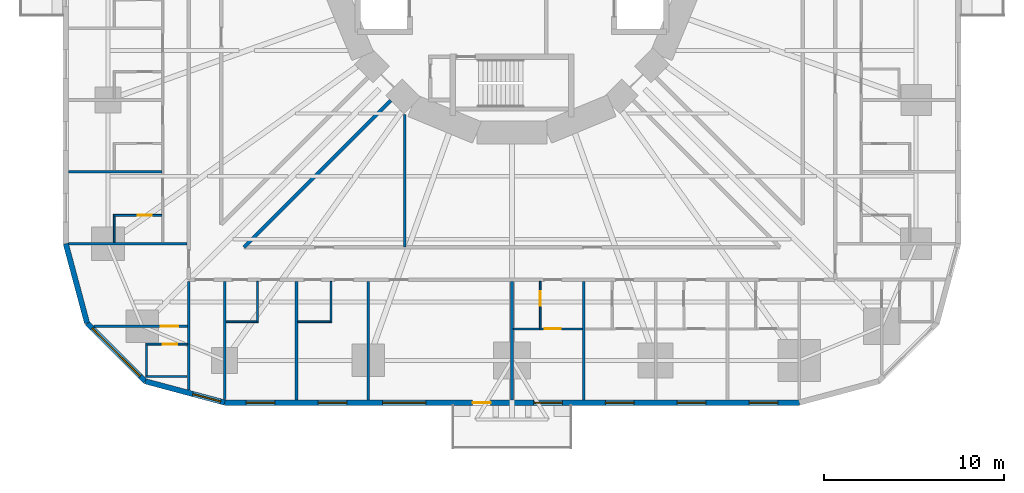
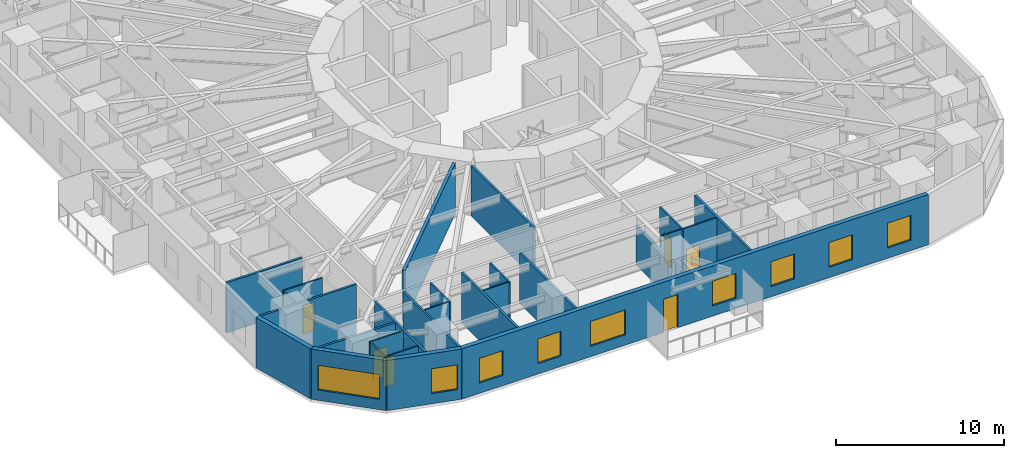
# One storey, part 4 of 14: 27 walls, 9 windows, 6 doors, 15 openings.
"""IFC4 building model written with IfcOpenShell, lengths in metres."""

from ifc_helpers import new_model, si_unit, direction, frame, frame_2d, origin, place, context, subcontext, project, spatial, rectangle, extrude, material, layer, layer_set, type_object, element, fill, save


model = new_model("IFC4")

# Units and contexts
model_context = context("Model", 3, precision=1e-05, world=origin(), true_north=direction((0.0, 1.0)))
body_context = subcontext(model_context, "Body", "Model", "MODEL_VIEW")
ifc_project = project(units=[si_unit("LENGTHUNIT", "METRE"), si_unit("AREAUNIT", "SQUARE_METRE"), si_unit("VOLUMEUNIT", "CUBIC_METRE"), si_unit("PLANEANGLEUNIT", "RADIAN"), si_unit("MASSUNIT", "GRAM", prefix="KILO")], contexts=[model_context])

# Site, building, storey
site_placement = place(None, origin())
site = spatial("IfcSite", under=ifc_project, at=site_placement, CompositionType="ELEMENT")
building_placement = place(site_placement, origin())
building = spatial("IfcBuilding", under=site, at=building_placement, Name="Nakasero Lantern House", CompositionType="ELEMENT")
storey_placement = place(building_placement, frame((0.0, 0.0, 19.85009765625)))
storey = spatial("IfcBuildingStorey", under=building, at=storey_placement, Name="L04", CompositionType="ELEMENT", Elevation=19.85009765625)

# Wall
ifc_material_1 = material(Name="Blockwork", Category="masonry")
ifc_layer_1 = layer(ifc_material_1, 0.199951171875)
ifc_layer_set_1 = layer_set([ifc_layer_1], Name="Corridor wall 200")
wall_type_1 = type_object("IfcWallType", Name="Corridor wall 200", PredefinedType="PARTITIONING", material=ifc_layer_set_1)
wall_1_placement = place(storey_placement, frame((-6.758544921875, -8.03125, 0.0), z_axis=(0.0, 0.0, 1.0), x_axis=(-0.707106781187, -0.707106781187, 0.0)))
element("IfcWall", 1, at=wall_1_placement, inside=storey, type_object=wall_type_1, Name="Corridor wall L04 PS10a", PredefinedType="PARTITIONING", context=body_context, shape_type="SweptSolid", body=[
    extrude(rectangle(XDim=11.55224609375, YDim=0.199951171875, at=frame_2d((5.776123046875, 0.0))), origin(), (0.0, 0.0, 1.0), 3.64990234375),
])

# Wall, opening, door
ifc_material_2 = material(Name="Blockwork", Category="masonry")
ifc_layer_2 = layer(ifc_material_2, 0.10009765625)
ifc_layer_set_2 = layer_set([ifc_layer_2], Name="En-suite wall 100")
wall_type_2 = type_object("IfcWallType", Name="En-suite wall 100", PredefinedType="PARTITIONING", material=ifc_layer_set_2)
wall_2_placement = place(storey_placement, frame((-19.5, -14.425048828125, 0.0), z_axis=(0.0, 0.0, 1.0), x_axis=(-1.0, 0.0, 0.0)))
wall_2 = element("IfcWall", 2, at=wall_2_placement, inside=storey, type_object=wall_type_2, Name="En-suite wall L04 ES2-08", PredefinedType="PARTITIONING", context=body_context, shape_type="SweptSolid", body=[
    extrude(rectangle(XDim=2.699951171875, YDim=0.10009765625, at=frame_2d((1.35009765625, 0.0))), origin(), (0.0, 0.0, 1.0), 3.64990234375),
])
opening_1_placement = place(wall_2_placement, frame((0.550048828125, 0.0, 0.0)))
opening_1 = element("IfcOpeningElement", 3, at=opening_1_placement, cuts=wall_2, Name="Opening D02", PredefinedType="OPENING", context=body_context, shape_type="SweptSolid", body=[
    extrude(rectangle(XDim=0.800048828125, YDim=2.10009765625, at=frame_2d((0.39990234375, 1.050048828125))), frame((0.0, 0.070068359375, 0.0), z_axis=(0.0, -1.0, 0.0), x_axis=(1.0, 0.0, 0.0)), (0.0, 0.0, 1.0), 0.14013671875),
])
ifc_material_3 = material(Name="Timber C24", Category="wood")
door_type_1 = type_object("IfcDoorType", Name="En-suite door 800", OperationType="SINGLE_SWING_RIGHT", PredefinedType="DOOR", material=ifc_material_3)
door_1_placement = place(opening_1_placement, origin())
door_1 = element("IfcDoor", 4, at=door_1_placement, inside=storey, type_object=door_type_1, Name="Door L04 DE2-08", OperationType="SINGLE_SWING_LEFT", OverallHeight=2.10009765625, OverallWidth=0.800048828125, PredefinedType="DOOR", context=body_context, shape_type="SweptSolid", body=[
    extrude(rectangle(XDim=0.800048828125, YDim=2.10009765625, at=frame_2d((0.39990234375, 1.050048828125))), frame((0.0, 0.02490234375, 0.0), z_axis=(0.0, -1.0, 0.0), x_axis=(1.0, 0.0, 0.0)), (0.0, 0.0, 1.0), 0.050048828125),
])
fill(opening_1, door_1)

# Wall
wall_3_placement = place(storey_placement, frame((-22.14990234375, -14.47509765625, 0.0), z_axis=(0.0, 0.0, 1.0), x_axis=(0.0, -1.0, 0.0)))
element("IfcWall", 5, at=wall_3_placement, inside=storey, type_object=wall_type_2, Name="En-suite wall L04 EE2-08", PredefinedType="PARTITIONING", context=body_context, shape_type="SweptSolid", body=[
    extrude(rectangle(XDim=1.449951171875, YDim=0.10009765625, at=frame_2d((0.72509765625, 0.0))), origin(), (0.0, 0.0, 1.0), 3.64990234375),
])

# Wall, opening, door
wall_4_placement = place(storey_placement, frame((-18.06494140625, -21.59619140625, 0.0), z_axis=(0.0, 0.0, 1.0), x_axis=(-1.0, 0.0, 0.0)))
wall_4 = element("IfcWall", 6, at=wall_4_placement, inside=storey, type_object=wall_type_2, Name="En-suite wall L04 ES2-09", PredefinedType="PARTITIONING", context=body_context, shape_type="SweptSolid", body=[
    extrude(rectangle(XDim=2.3349609375, YDim=0.10009765625, at=frame_2d((1.16748046875, 0.0))), origin(), (0.0, 0.0, 1.0), 3.64990234375),
])
opening_2_placement = place(wall_4_placement, frame((0.5849609375, 0.0, 0.0)))
opening_2 = element("IfcOpeningElement", 7, at=opening_2_placement, cuts=wall_4, Name="Opening D02", PredefinedType="OPENING", context=body_context, shape_type="SweptSolid", body=[
    extrude(rectangle(XDim=0.800048828125, YDim=2.10009765625, at=frame_2d((0.39990234375, 1.050048828125))), frame((0.0, 0.070068359375, 0.0), z_axis=(0.0, -1.0, 0.0), x_axis=(1.0, 0.0, 0.0)), (0.0, 0.0, 1.0), 0.14013671875),
])
door_2_placement = place(opening_2_placement, origin())
door_2 = element("IfcDoor", 8, at=door_2_placement, inside=storey, type_object=door_type_1, Name="Door L04 DE2-09", OperationType="SINGLE_SWING_LEFT", OverallHeight=2.10009765625, OverallWidth=0.800048828125, PredefinedType="DOOR", context=body_context, shape_type="SweptSolid", body=[
    extrude(rectangle(XDim=0.800048828125, YDim=2.10009765625, at=frame_2d((0.39990234375, 1.050048828125))), frame((0.0, 0.02490234375, 0.0), z_axis=(0.0, -1.0, 0.0), x_axis=(1.0, 0.0, 0.0)), (0.0, 0.0, 1.0), 0.050048828125),
])
fill(opening_2, door_2)

# Walls
wall_5_placement = place(storey_placement, frame((-20.35009765625, -21.646240234375, 0.0), z_axis=(0.0, 0.0, 1.0), x_axis=(0.0, -1.0, 0.0)))
element("IfcWall", 9, at=wall_5_placement, inside=storey, type_object=wall_type_2, Name="En-suite wall L04 EE2-09", PredefinedType="PARTITIONING", context=body_context, shape_type="SweptSolid", body=[
    extrude(rectangle(XDim=1.699951171875, YDim=0.10009765625, at=frame_2d((0.85009765625, 0.0))), origin(), (0.0, 0.0, 1.0), 3.64990234375),
])
for number, where, z_axis, x_axis, name in (
    (10, (-18.10009765625, -23.396240234375, 0.0), (0.0, 0.0, 1.0), (-1.0, 0.0, 0.0), "En-suite wall L04 EV2-09"),
    (11, (-14.175048828125, -18.10009765625, 0.0), (0.0, 0.0, 1.0), (0.0, -1.0, 0.0), "En-suite wall L04 ES3-01"),
):
    element("IfcWall", number, at=place(storey_placement, frame(where, z_axis=z_axis, x_axis=x_axis)), inside=storey, type_object=wall_type_2, Name=name, PredefinedType="PARTITIONING", context=body_context, shape_type="SweptSolid", body=[
        extrude(rectangle(XDim=2.2998046875, YDim=0.10009765625, at=frame_2d((1.14990234375, 0.0))), origin(), (0.0, 0.0, 1.0), 3.64990234375),
    ])
wall_6_placement = place(storey_placement, frame((-15.925048828125, -20.35009765625, 0.0), z_axis=(0.0, 0.0, 1.0), x_axis=(1.0, 0.0, 0.0)))
element("IfcWall", 12, at=wall_6_placement, inside=storey, type_object=wall_type_2, Name="En-suite wall L04 EE3-01", PredefinedType="PARTITIONING", context=body_context, shape_type="SweptSolid", body=[
    extrude(rectangle(XDim=1.699951171875, YDim=0.10009765625, at=frame_2d((0.85009765625, 0.0))), origin(), (0.0, 0.0, 1.0), 3.64990234375),
])
wall_7_placement = place(storey_placement, frame((-10.074951171875, -18.10009765625, 0.0), z_axis=(0.0, 0.0, 1.0), x_axis=(0.0, -1.0, 0.0)))
element("IfcWall", 13, at=wall_7_placement, inside=storey, type_object=wall_type_2, Name="En-suite wall L04 ES3-02", PredefinedType="PARTITIONING", context=body_context, shape_type="SweptSolid", body=[
    extrude(rectangle(XDim=2.2998046875, YDim=0.10009765625, at=frame_2d((1.14990234375, 0.0))), origin(), (0.0, 0.0, 1.0), 3.64990234375),
])
wall_8_placement = place(storey_placement, frame((-11.925048828125, -20.35009765625, 0.0), z_axis=(0.0, 0.0, 1.0), x_axis=(1.0, 0.0, 0.0)))
element("IfcWall", 14, at=wall_8_placement, inside=storey, type_object=wall_type_2, Name="En-suite wall L04 EE3-02", PredefinedType="PARTITIONING", context=body_context, shape_type="SweptSolid", body=[
    extrude(rectangle(XDim=1.800048828125, YDim=0.10009765625, at=frame_2d((0.89990234375, 0.0))), origin(), (0.0, 0.0, 1.0), 3.64990234375),
])

# Wall, opening, door
wall_9_placement = place(storey_placement, frame((1.574951171875, -18.10009765625, 0.0), z_axis=(0.0, 0.0, 1.0), x_axis=(0.0, -1.0, 0.0)))
wall_9 = element("IfcWall", 15, at=wall_9_placement, inside=storey, type_object=wall_type_2, Name="En-suite wall L04 ES3-05", PredefinedType="PARTITIONING", context=body_context, shape_type="SweptSolid", body=[
    extrude(rectangle(XDim=2.699951171875, YDim=0.10009765625, at=frame_2d((1.35009765625, 0.0))), origin(), (0.0, 0.0, 1.0), 3.64990234375),
])
opening_3_placement = place(wall_9_placement, frame((0.550048828125, 0.0, 0.0)))
opening_3 = element("IfcOpeningElement", 16, at=opening_3_placement, cuts=wall_9, Name="Opening D02", PredefinedType="OPENING", context=body_context, shape_type="SweptSolid", body=[
    extrude(rectangle(XDim=0.800048828125, YDim=2.10009765625, at=frame_2d((0.39990234375, 1.050048828125))), frame((0.0, 0.070068359375, 0.0), z_axis=(0.0, -1.0, 0.0), x_axis=(1.0, 0.0, 0.0)), (0.0, 0.0, 1.0), 0.14013671875),
])
door_3_placement = place(opening_3_placement, origin())
door_3 = element("IfcDoor", 17, at=door_3_placement, inside=storey, type_object=door_type_1, Name="Door L04 DE3-05", OperationType="SINGLE_SWING_LEFT", OverallHeight=2.10009765625, OverallWidth=0.800048828125, PredefinedType="DOOR", context=body_context, shape_type="SweptSolid", body=[
    extrude(rectangle(XDim=0.800048828125, YDim=2.10009765625, at=frame_2d((0.39990234375, 1.050048828125))), frame((0.0, 0.02490234375, 0.0), z_axis=(0.0, -1.0, 0.0), x_axis=(1.0, 0.0, 0.0)), (0.0, 0.0, 1.0), 0.050048828125),
])
fill(opening_3, door_3)

# Wall
wall_10_placement = place(storey_placement, frame((0.074951171875, -20.75, 0.0), z_axis=(0.0, 0.0, 1.0), x_axis=(1.0, 0.0, 0.0)))
element("IfcWall", 18, at=wall_10_placement, inside=storey, type_object=wall_type_2, Name="En-suite wall L04 EE3-05", PredefinedType="PARTITIONING", context=body_context, shape_type="SweptSolid", body=[
    extrude(rectangle(XDim=1.449951171875, YDim=0.10009765625, at=frame_2d((0.72509765625, 0.0))), origin(), (0.0, 0.0, 1.0), 3.64990234375),
])

# Wall, opening, door
wall_11_placement = place(storey_placement, frame((1.625, -20.75, 0.0), z_axis=(0.0, 0.0, 1.0), x_axis=(1.0, 0.0, 0.0)))
wall_11 = element("IfcWall", 19, at=wall_11_placement, inside=storey, type_object=wall_type_2, Name="En-suite wall L04 EL3-05", PredefinedType="PARTITIONING", context=body_context, shape_type="SweptSolid", body=[
    extrude(rectangle(XDim=2.300048828125, YDim=0.10009765625, at=frame_2d((1.14990234375, 0.0))), origin(), (0.0, 0.0, 1.0), 3.64990234375),
])
opening_4_placement = place(wall_11_placement, frame((0.199951171875, 0.0, 0.0)))
opening_4 = element("IfcOpeningElement", 20, at=opening_4_placement, cuts=wall_11, Name="Opening D17", PredefinedType="OPENING", context=body_context, shape_type="SweptSolid", body=[
    extrude(rectangle(XDim=0.89990234375, YDim=2.10009765625, at=frame_2d((0.449951171875, 1.050048828125))), frame((0.0, 0.070068359375, 0.0), z_axis=(0.0, -1.0, 0.0), x_axis=(1.0, 0.0, 0.0)), (0.0, 0.0, 1.0), 0.14013671875),
])
ifc_material_4 = material(Name="Timber C24", Category="wood")
door_type_2 = type_object("IfcDoorType", Name="Bedroom door FD30S 900", OperationType="SINGLE_SWING_LEFT", PredefinedType="DOOR", material=ifc_material_4)
door_4_placement = place(opening_4_placement, origin())
door_4 = element("IfcDoor", 21, at=door_4_placement, inside=storey, type_object=door_type_2, Name="Door L04 DL3-05", OperationType="SINGLE_SWING_LEFT", OverallHeight=2.10009765625, OverallWidth=0.89990234375, PredefinedType="DOOR", context=body_context, shape_type="SweptSolid", body=[
    extrude(rectangle(XDim=0.89990234375, YDim=2.10009765625, at=frame_2d((0.449951171875, 1.050048828125))), frame((0.0, 0.02490234375, 0.0), z_axis=(0.0, -1.0, 0.0), x_axis=(1.0, 0.0, 0.0)), (0.0, 0.0, 1.0), 0.050048828125),
])
fill(opening_4, door_4)

# Wall
ifc_material_5 = material(Name="Aluminium rainscreen on blockwork", Category="masonry")
ifc_layer_3 = layer(ifc_material_5, 0.300048828125)
ifc_layer_set_3 = layer_set([ifc_layer_3], Name="Facade wall 300")
wall_type_3 = type_object("IfcWallType", Name="Facade wall 300", PredefinedType="SOLIDWALL", material=ifc_layer_set_3)
wall_12_placement = place(storey_placement, frame((-24.85009765625, -16.0, 0.0), z_axis=(0.0, 0.0, 1.0), x_axis=(0.258839972501, -0.965920218567, 0.0)))
element("IfcWall", 22, at=wall_12_placement, inside=storey, type_object=wall_type_3, Name="Facade wall L04 FW2C1", PredefinedType="SOLIDWALL", context=body_context, shape_type="SweptSolid", body=[
    extrude(rectangle(XDim=4.5810546875, YDim=0.300048828125, at=frame_2d((2.29052734375, 0.0))), origin(), (0.0, 0.0, 1.0), 3.64990234375),
])

# Wall, opening, window
wall_13_placement = place(storey_placement, frame((-23.664306640625, -20.425048828125, 0.0), z_axis=(0.0, 0.0, 1.0), x_axis=(0.707106781187, -0.707106781187, 0.0)))
wall_13 = element("IfcWall", 23, at=wall_13_placement, inside=storey, type_object=wall_type_3, Name="Facade wall L04 FW2C2", PredefinedType="SOLIDWALL", context=body_context, shape_type="SweptSolid", body=[
    extrude(rectangle(XDim=4.5810546875, YDim=0.300048828125, at=frame_2d((2.29052734375, 0.0))), origin(), (0.0, 0.0, 1.0), 3.64990234375),
])
opening_5_placement = place(wall_13_placement, frame((0.39990234375, 0.0, 0.75)))
opening_5 = element("IfcOpeningElement", 24, at=opening_5_placement, cuts=wall_13, Name="Opening W237", PredefinedType="OPENING", context=body_context, shape_type="SweptSolid", body=[
    extrude(rectangle(XDim=3.781005859375, YDim=1.800048828125, at=frame_2d((1.890625, 0.89990234375))), frame((0.0, 0.169921875, 0.0), z_axis=(0.0, -1.0, 0.0), x_axis=(1.0, 0.0, 0.0)), (0.0, 0.0, 1.0), 0.340087890625),
])
ifc_material_6 = material(Name="Aluminium 6063-T6 and glass", Category="aluminium")
window_type_1 = type_object("IfcWindowType", Name="Corner window 3781x1800", PartitioningType="SINGLE_PANEL", PredefinedType="WINDOW", material=ifc_material_6)
window_1_placement = place(opening_5_placement, origin())
window_1 = element("IfcWindow", 25, at=window_1_placement, inside=storey, type_object=window_type_1, Name="Window L04 WC2", OverallHeight=1.800048828125, OverallWidth=3.781005859375, PartitioningType="SINGLE_PANEL", PredefinedType="WINDOW", context=body_context, shape_type="SweptSolid", body=[
    extrude(rectangle(XDim=3.781005859375, YDim=1.800048828125, at=frame_2d((1.890625, 0.89990234375))), frame((0.0, 0.030029296875, 0.0), z_axis=(0.0, -1.0, 0.0), x_axis=(1.0, 0.0, 0.0)), (0.0, 0.0, 1.0), 0.06005859375),
])
fill(opening_5, window_1)

wall_14_placement = place(storey_placement, frame((-20.425048828125, -23.664306640625, 0.0), z_axis=(0.0, 0.0, 1.0), x_axis=(0.965920218567, -0.258839972501, 0.0)))
wall_14 = element("IfcWall", 26, at=wall_14_placement, inside=storey, type_object=wall_type_3, Name="Facade wall L04 FW2C3", PredefinedType="SOLIDWALL", context=body_context, shape_type="SweptSolid", body=[
    extrude(rectangle(XDim=4.5810546875, YDim=0.300048828125, at=frame_2d((2.29052734375, 0.0))), origin(), (0.0, 0.0, 1.0), 3.64990234375),
])
opening_6_placement = place(wall_14_placement, frame((2.74609375, 0.0, 0.75)))
opening_6 = element("IfcOpeningElement", 27, at=opening_6_placement, cuts=wall_14, Name="Opening W01", PredefinedType="OPENING", context=body_context, shape_type="SweptSolid", body=[
    extrude(rectangle(XDim=1.60009765625, YDim=1.800048828125, at=frame_2d((0.800048828125, 0.89990234375))), frame((0.0, 0.169921875, 0.0), z_axis=(0.0, -1.0, 0.0), x_axis=(1.0, 0.0, 0.0)), (0.0, 0.0, 1.0), 0.340087890625),
])
ifc_material_7 = material(Name="Aluminium 6063-T6 and glass", Category="aluminium")
window_type_2 = type_object("IfcWindowType", Name="Bedroom window 1600x1800", PartitioningType="SINGLE_PANEL", PredefinedType="WINDOW", material=ifc_material_7)
window_2_placement = place(opening_6_placement, origin())
window_2 = element("IfcWindow", 28, at=window_2_placement, inside=storey, type_object=window_type_2, Name="Window L04 WN3-00", OverallHeight=1.800048828125, OverallWidth=1.60009765625, PartitioningType="SINGLE_PANEL", PredefinedType="WINDOW", context=body_context, shape_type="SweptSolid", body=[
    extrude(rectangle(XDim=1.60009765625, YDim=1.800048828125, at=frame_2d((0.800048828125, 0.89990234375))), frame((0.0, 0.030029296875, 0.0), z_axis=(0.0, -1.0, 0.0), x_axis=(1.0, 0.0, 0.0)), (0.0, 0.0, 1.0), 0.06005859375),
])
fill(opening_6, window_2)

# Wall, openings, door, windows
wall_15_placement = place(storey_placement, frame((-16.0, -24.85009765625, 0.0), z_axis=(0.0, 0.0, 1.0), x_axis=(1.0, 0.0, 0.0)))
wall_15 = element("IfcWall", 29, at=wall_15_placement, inside=storey, type_object=wall_type_3, Name="Facade wall L04 FW3S", PredefinedType="SOLIDWALL", context=body_context, shape_type="SweptSolid", body=[
    extrude(rectangle(XDim=32.0, YDim=0.300048828125, at=frame_2d((16.0, 0.0))), origin(), (0.0, 0.0, 1.0), 3.64990234375),
])
opening_7_placement = place(wall_15_placement, frame((1.199951171875, 0.0, 0.75)))
opening_7 = element("IfcOpeningElement", 30, at=opening_7_placement, cuts=wall_15, Name="Opening W01", PredefinedType="OPENING", context=body_context, shape_type="SweptSolid", body=[
    extrude(rectangle(XDim=1.60009765625, YDim=1.800048828125, at=frame_2d((0.800048828125, 0.89990234375))), frame((0.0, 0.169921875, 0.0), z_axis=(0.0, -1.0, 0.0), x_axis=(1.0, 0.0, 0.0)), (0.0, 0.0, 1.0), 0.340087890625),
])
opening_8_placement = place(wall_15_placement, frame((5.199951171875, 0.0, 0.75)))
opening_8 = element("IfcOpeningElement", 31, at=opening_8_placement, cuts=wall_15, Name="Opening W01", PredefinedType="OPENING", context=body_context, shape_type="SweptSolid", body=[
    extrude(rectangle(XDim=1.60009765625, YDim=1.800048828125, at=frame_2d((0.800048828125, 0.89990234375))), frame((0.0, 0.169921875, 0.0), z_axis=(0.0, -1.0, 0.0), x_axis=(1.0, 0.0, 0.0)), (0.0, 0.0, 1.0), 0.340087890625),
])
opening_9_placement = place(wall_15_placement, frame((17.199951171875, 0.0, 0.75)))
opening_9 = element("IfcOpeningElement", 32, at=opening_9_placement, cuts=wall_15, Name="Opening W01", PredefinedType="OPENING", context=body_context, shape_type="SweptSolid", body=[
    extrude(rectangle(XDim=1.60009765625, YDim=1.800048828125, at=frame_2d((0.800048828125, 0.89990234375))), frame((0.0, 0.169921875, 0.0), z_axis=(0.0, -1.0, 0.0), x_axis=(1.0, 0.0, 0.0)), (0.0, 0.0, 1.0), 0.340087890625),
])
opening_10_placement = place(wall_15_placement, frame((21.199951171875, 0.0, 0.75)))
opening_10 = element("IfcOpeningElement", 33, at=opening_10_placement, cuts=wall_15, Name="Opening W01", PredefinedType="OPENING", context=body_context, shape_type="SweptSolid", body=[
    extrude(rectangle(XDim=1.60009765625, YDim=1.800048828125, at=frame_2d((0.800048828125, 0.89990234375))), frame((0.0, 0.169921875, 0.0), z_axis=(0.0, -1.0, 0.0), x_axis=(1.0, 0.0, 0.0)), (0.0, 0.0, 1.0), 0.340087890625),
])
opening_11_placement = place(wall_15_placement, frame((25.199951171875, 0.0, 0.75)))
opening_11 = element("IfcOpeningElement", 34, at=opening_11_placement, cuts=wall_15, Name="Opening W01", PredefinedType="OPENING", context=body_context, shape_type="SweptSolid", body=[
    extrude(rectangle(XDim=1.60009765625, YDim=1.800048828125, at=frame_2d((0.800048828125, 0.89990234375))), frame((0.0, 0.169921875, 0.0), z_axis=(0.0, -1.0, 0.0), x_axis=(1.0, 0.0, 0.0)), (0.0, 0.0, 1.0), 0.340087890625),
])
opening_12_placement = place(wall_15_placement, frame((29.199951171875, 0.0, 0.75)))
opening_12 = element("IfcOpeningElement", 35, at=opening_12_placement, cuts=wall_15, Name="Opening W01", PredefinedType="OPENING", context=body_context, shape_type="SweptSolid", body=[
    extrude(rectangle(XDim=1.60009765625, YDim=1.800048828125, at=frame_2d((0.800048828125, 0.89990234375))), frame((0.0, 0.169921875, 0.0), z_axis=(0.0, -1.0, 0.0), x_axis=(1.0, 0.0, 0.0)), (0.0, 0.0, 1.0), 0.340087890625),
])
opening_13_placement = place(wall_15_placement, frame((8.800048828125, 0.0, 0.75)))
opening_13 = element("IfcOpeningElement", 36, at=opening_13_placement, cuts=wall_15, Name="Opening W03", PredefinedType="OPENING", context=body_context, shape_type="SweptSolid", body=[
    extrude(rectangle(XDim=2.39990234375, YDim=1.800048828125, at=frame_2d((1.199951171875, 0.89990234375))), frame((0.0, 0.169921875, 0.0), z_axis=(0.0, -1.0, 0.0), x_axis=(1.0, 0.0, 0.0)), (0.0, 0.0, 1.0), 0.340087890625),
])
opening_14_placement = place(wall_15_placement, frame((13.8125, 0.0, 0.0)))
opening_14 = element("IfcOpeningElement", 37, at=opening_14_placement, cuts=wall_15, Name="Opening D04", PredefinedType="OPENING", context=body_context, shape_type="SweptSolid", body=[
    extrude(rectangle(XDim=1.0, YDim=2.39990234375, at=frame_2d((0.5, 1.199951171875))), frame((0.0, 0.169921875, 0.0), z_axis=(0.0, -1.0, 0.0), x_axis=(1.0, 0.0, 0.0)), (0.0, 0.0, 1.0), 0.340087890625),
])
ifc_material_8 = material(Name="Aluminium 6063-T6 and glass", Category="aluminium")
door_type_3 = type_object("IfcDoorType", Name="Balcony door 1000x2400", OperationType="SINGLE_SWING_RIGHT", PredefinedType="DOOR", material=ifc_material_8)
door_5_placement = place(opening_14_placement, origin())
door_5 = element("IfcDoor", 38, at=door_5_placement, inside=storey, type_object=door_type_3, Name="Balcony door L04 DB3", OperationType="SINGLE_SWING_RIGHT", OverallHeight=2.39990234375, OverallWidth=1.0, PredefinedType="DOOR", context=body_context, shape_type="SweptSolid", body=[
    extrude(rectangle(XDim=1.0, YDim=2.39990234375, at=frame_2d((0.5, 1.199951171875))), frame((0.0, 0.02490234375, 0.0), z_axis=(0.0, -1.0, 0.0), x_axis=(1.0, 0.0, 0.0)), (0.0, 0.0, 1.0), 0.050048828125),
])
fill(opening_14, door_5)
window_3_placement = place(opening_7_placement, origin())
window_3 = element("IfcWindow", 39, at=window_3_placement, inside=storey, type_object=window_type_2, Name="Window L04 WN3-01", OverallHeight=1.800048828125, OverallWidth=1.60009765625, PartitioningType="SINGLE_PANEL", PredefinedType="WINDOW", context=body_context, shape_type="SweptSolid", body=[
    extrude(rectangle(XDim=1.60009765625, YDim=1.800048828125, at=frame_2d((0.800048828125, 0.89990234375))), frame((0.0, 0.030029296875, 0.0), z_axis=(0.0, -1.0, 0.0), x_axis=(1.0, 0.0, 0.0)), (0.0, 0.0, 1.0), 0.06005859375),
])
fill(opening_7, window_3)
window_4_placement = place(opening_8_placement, origin())
window_4 = element("IfcWindow", 40, at=window_4_placement, inside=storey, type_object=window_type_2, Name="Window L04 WN3-02", OverallHeight=1.800048828125, OverallWidth=1.60009765625, PartitioningType="SINGLE_PANEL", PredefinedType="WINDOW", context=body_context, shape_type="SweptSolid", body=[
    extrude(rectangle(XDim=1.60009765625, YDim=1.800048828125, at=frame_2d((0.800048828125, 0.89990234375))), frame((0.0, 0.030029296875, 0.0), z_axis=(0.0, -1.0, 0.0), x_axis=(1.0, 0.0, 0.0)), (0.0, 0.0, 1.0), 0.06005859375),
])
fill(opening_8, window_4)
window_5_placement = place(opening_9_placement, origin())
window_5 = element("IfcWindow", 41, at=window_5_placement, inside=storey, type_object=window_type_2, Name="Window L04 WN3-05", OverallHeight=1.800048828125, OverallWidth=1.60009765625, PartitioningType="SINGLE_PANEL", PredefinedType="WINDOW", context=body_context, shape_type="SweptSolid", body=[
    extrude(rectangle(XDim=1.60009765625, YDim=1.800048828125, at=frame_2d((0.800048828125, 0.89990234375))), frame((0.0, 0.030029296875, 0.0), z_axis=(0.0, -1.0, 0.0), x_axis=(1.0, 0.0, 0.0)), (0.0, 0.0, 1.0), 0.06005859375),
])
fill(opening_9, window_5)
window_6_placement = place(opening_10_placement, origin())
window_6 = element("IfcWindow", 42, at=window_6_placement, inside=storey, type_object=window_type_2, Name="Window L04 WN3-06", OverallHeight=1.800048828125, OverallWidth=1.60009765625, PartitioningType="SINGLE_PANEL", PredefinedType="WINDOW", context=body_context, shape_type="SweptSolid", body=[
    extrude(rectangle(XDim=1.60009765625, YDim=1.800048828125, at=frame_2d((0.800048828125, 0.89990234375))), frame((0.0, 0.030029296875, 0.0), z_axis=(0.0, -1.0, 0.0), x_axis=(1.0, 0.0, 0.0)), (0.0, 0.0, 1.0), 0.06005859375),
])
fill(opening_10, window_6)
window_7_placement = place(opening_11_placement, origin())
window_7 = element("IfcWindow", 43, at=window_7_placement, inside=storey, type_object=window_type_2, Name="Window L04 WN3-07", OverallHeight=1.800048828125, OverallWidth=1.60009765625, PartitioningType="SINGLE_PANEL", PredefinedType="WINDOW", context=body_context, shape_type="SweptSolid", body=[
    extrude(rectangle(XDim=1.60009765625, YDim=1.800048828125, at=frame_2d((0.800048828125, 0.89990234375))), frame((0.0, 0.030029296875, 0.0), z_axis=(0.0, -1.0, 0.0), x_axis=(1.0, 0.0, 0.0)), (0.0, 0.0, 1.0), 0.06005859375),
])
fill(opening_11, window_7)
window_8_placement = place(opening_12_placement, origin())
window_8 = element("IfcWindow", 44, at=window_8_placement, inside=storey, type_object=window_type_2, Name="Window L04 WN3-08", OverallHeight=1.800048828125, OverallWidth=1.60009765625, PartitioningType="SINGLE_PANEL", PredefinedType="WINDOW", context=body_context, shape_type="SweptSolid", body=[
    extrude(rectangle(XDim=1.60009765625, YDim=1.800048828125, at=frame_2d((0.800048828125, 0.89990234375))), frame((0.0, 0.030029296875, 0.0), z_axis=(0.0, -1.0, 0.0), x_axis=(1.0, 0.0, 0.0)), (0.0, 0.0, 1.0), 0.06005859375),
])
fill(opening_12, window_8)
ifc_material_9 = material(Name="Aluminium 6063-T6 and glass", Category="aluminium")
window_type_3 = type_object("IfcWindowType", Name="Lounge window 2400x1800", PartitioningType="SINGLE_PANEL", PredefinedType="WINDOW", material=ifc_material_9)
window_9_placement = place(opening_13_placement, origin())
window_9 = element("IfcWindow", 45, at=window_9_placement, inside=storey, type_object=window_type_3, Name="Window L04 WK3", OverallHeight=1.800048828125, OverallWidth=2.39990234375, PartitioningType="SINGLE_PANEL", PredefinedType="WINDOW", context=body_context, shape_type="SweptSolid", body=[
    extrude(rectangle(XDim=2.39990234375, YDim=1.800048828125, at=frame_2d((1.199951171875, 0.89990234375))), frame((0.0, 0.030029296875, 0.0), z_axis=(0.0, -1.0, 0.0), x_axis=(1.0, 0.0, 0.0)), (0.0, 0.0, 1.0), 0.06005859375),
])
fill(opening_13, window_9)

# Walls
ifc_material_10 = material(Name="Blockwork", Category="masonry")
ifc_layer_4 = layer(ifc_material_10, 0.14990234375)
ifc_layer_set_4 = layer_set([ifc_layer_4], Name="Party wall 150")
wall_type_4 = type_object("IfcWallType", Name="Party wall 150", PredefinedType="PARTITIONING", material=ifc_layer_set_4)
wall_16_placement = place(storey_placement, frame((-19.5, -12.0, 0.0), z_axis=(0.0, 0.0, 1.0), x_axis=(-1.0, 0.0, 0.0)))
element("IfcWall", 46, at=wall_16_placement, inside=storey, type_object=wall_type_4, Name="Party wall L04 PW2-08", PredefinedType="PARTITIONING", context=body_context, shape_type="SweptSolid", body=[
    extrude(rectangle(XDim=5.199951171875, YDim=0.14990234375, at=frame_2d((2.60009765625, 0.0))), origin(), (0.0, 0.0, 1.0), 3.64990234375),
])
wall_17_placement = place(storey_placement, frame((-18.10009765625, -16.0, 0.0), z_axis=(0.0, 0.0, 1.0), x_axis=(-1.0, 0.0, 0.0)))
element("IfcWall", 47, at=wall_17_placement, inside=storey, type_object=wall_type_4, Name="Party wall L04 PW2-09", PredefinedType="PARTITIONING", context=body_context, shape_type="SweptSolid", body=[
    extrude(rectangle(XDim=6.58935546875, YDim=0.14990234375, at=frame_2d((3.294677734375, 0.0))), origin(), (0.0, 0.0, 1.0), 3.64990234375),
])

# Wall, opening, door
wall_18_placement = place(storey_placement, frame((-18.06494140625, -20.59619140625, 0.0), z_axis=(0.0, 0.0, 1.0), x_axis=(-1.0, 0.0, 0.0)))
wall_18 = element("IfcWall", 48, at=wall_18_placement, inside=storey, type_object=wall_type_4, Name="Party wall L04 PC2", PredefinedType="PARTITIONING", context=body_context, shape_type="SweptSolid", body=[
    extrude(rectangle(XDim=5.208740234375, YDim=0.14990234375, at=frame_2d((2.6044921875, 0.0))), origin(), (0.0, 0.0, 1.0), 3.64990234375),
])
opening_15_placement = place(wall_18_placement, frame((0.534912109375, 0.0, 0.0)))
opening_15 = element("IfcOpeningElement", 49, at=opening_15_placement, cuts=wall_18, Name="Opening D01", PredefinedType="OPENING", context=body_context, shape_type="SweptSolid", body=[
    extrude(rectangle(XDim=0.949951171875, YDim=2.10009765625, at=frame_2d((0.47509765625, 1.050048828125))), frame((0.0, 0.094970703125, 0.0), z_axis=(0.0, -1.0, 0.0), x_axis=(1.0, 0.0, 0.0)), (0.0, 0.0, 1.0), 0.18994140625),
])
ifc_material_11 = material(Name="Timber C24", Category="wood")
door_type_4 = type_object("IfcDoorType", Name="Bedroom door FD30S 950", OperationType="SINGLE_SWING_LEFT", PredefinedType="DOOR", material=ifc_material_11)
door_6_placement = place(opening_15_placement, origin())
door_6 = element("IfcDoor", 50, at=door_6_placement, inside=storey, type_object=door_type_4, Name="Door L04 DC2", OperationType="SINGLE_SWING_LEFT", OverallHeight=2.10009765625, OverallWidth=0.949951171875, PredefinedType="DOOR", context=body_context, shape_type="SweptSolid", body=[
    extrude(rectangle(XDim=0.949951171875, YDim=2.10009765625, at=frame_2d((0.47509765625, 1.050048828125))), frame((0.0, 0.02490234375, 0.0), z_axis=(0.0, -1.0, 0.0), x_axis=(1.0, 0.0, 0.0)), (0.0, 0.0, 1.0), 0.050048828125),
])
fill(opening_15, door_6)

# Walls
wall_19_placement = place(storey_placement, frame((-18.0, -18.10009765625, 0.0), z_axis=(0.0, 0.0, 1.0), x_axis=(0.0, -1.0, 0.0)))
element("IfcWall", 51, at=wall_19_placement, inside=storey, type_object=wall_type_4, Name="Party wall L04 PW3-00", PredefinedType="PARTITIONING", context=body_context, shape_type="SweptSolid", body=[
    extrude(rectangle(XDim=6.053466796875, YDim=0.14990234375, at=frame_2d((3.02685546875, 0.0))), origin(), (0.0, 0.0, 1.0), 3.64990234375),
])
wall_20_placement = place(storey_placement, frame((-16.0, -18.10009765625, 0.0), z_axis=(0.0, 0.0, 1.0), x_axis=(0.0, -1.0, 0.0)))
element("IfcWall", 52, at=wall_20_placement, inside=storey, type_object=wall_type_4, Name="Party wall L04 PW3-01", PredefinedType="PARTITIONING", context=body_context, shape_type="SweptSolid", body=[
    extrude(rectangle(XDim=6.58935546875, YDim=0.14990234375, at=frame_2d((3.294677734375, 0.0))), origin(), (0.0, 0.0, 1.0), 3.64990234375),
])
for number, where, z_axis, x_axis, name in (
    (53, (-12.0, -18.10009765625, 0.0), (0.0, 0.0, 1.0), (0.0, -1.0, 0.0), "Party wall L04 PW3-02"),
    (54, (-8.0, -18.10009765625, 0.0), (0.0, 0.0, 1.0), (0.0, -1.0, 0.0), "Party wall L04 PW3-03"),
):
    element("IfcWall", number, at=place(storey_placement, frame(where, z_axis=z_axis, x_axis=x_axis)), inside=storey, type_object=wall_type_4, Name=name, PredefinedType="PARTITIONING", context=body_context, shape_type="SweptSolid", body=[
        extrude(rectangle(XDim=6.599853515625, YDim=0.14990234375, at=frame_2d((3.2998046875, 0.0))), origin(), (0.0, 0.0, 1.0), 3.64990234375),
    ])
wall_21_placement = place(storey_placement, frame((0.0, -18.10009765625, 0.0), z_axis=(0.0, 0.0, 1.0), x_axis=(0.0, -1.0, 0.0)))
element("IfcWall", 55, at=wall_21_placement, inside=storey, type_object=wall_type_4, Name="Party wall L04 PW3-05", PredefinedType="PARTITIONING", context=body_context, shape_type="SweptSolid", body=[
    extrude(rectangle(XDim=6.599853515625, YDim=0.14990234375, at=frame_2d((3.2998046875, 0.0))), origin(), (0.0, 0.0, 1.0), 2.80908203125),
])
wall_22_placement = place(storey_placement, frame((4.0, -18.10009765625, 0.0), z_axis=(0.0, 0.0, 1.0), x_axis=(0.0, -1.0, 0.0)))
element("IfcWall", 56, at=wall_22_placement, inside=storey, type_object=wall_type_4, Name="Party wall L04 PW3-06", PredefinedType="PARTITIONING", context=body_context, shape_type="SweptSolid", body=[
    extrude(rectangle(XDim=6.599853515625, YDim=0.14990234375, at=frame_2d((3.2998046875, 0.0))), origin(), (0.0, 0.0, 1.0), 3.64990234375),
])
wall_23_placement = place(storey_placement, frame((-5.970947265625, -8.81884765625, 0.0), z_axis=(0.0, 0.0, 1.0), x_axis=(0.0, -1.0, 0.0)))
element("IfcWall", 57, at=wall_23_placement, inside=storey, type_object=wall_type_4, Name="Party wall L04 IS3", PredefinedType="PARTITIONING", context=body_context, shape_type="SweptSolid", body=[
    extrude(rectangle(XDim=7.381103515625, YDim=0.14990234375, at=frame_2d((3.6904296875, 0.0))), origin(), (0.0, 0.0, 1.0), 3.64990234375),
])

save(model, "model.ifc")
